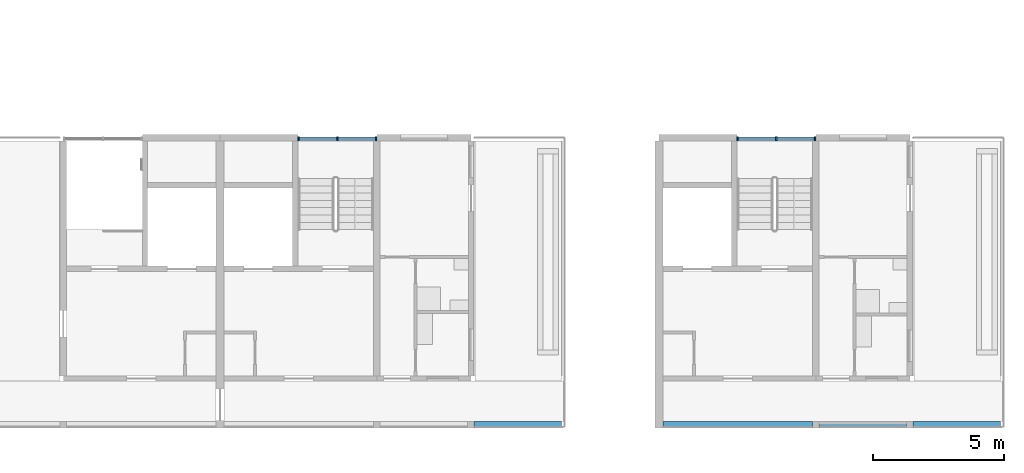
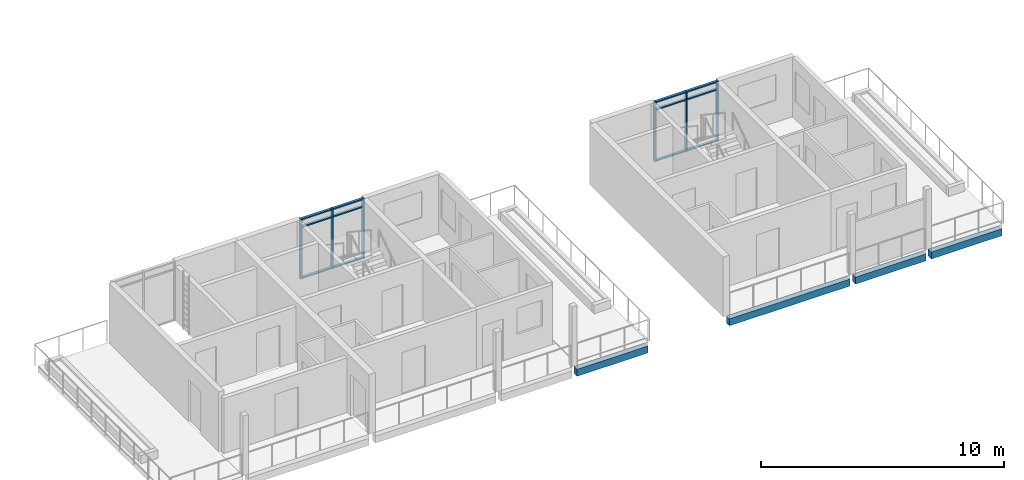
# One storey, part 11 of 41: 18 members, 4 beams, 2 elements without a shape of their own.
"""IFC4 building model written with IfcOpenShell, lengths in metres."""

from ifc_helpers import new_model, si_unit, direction, frame, origin, origin_2d, place, context, subcontext, project, spatial, rectangle, extrude, material, material_profile, profile_set, type_object, element, aggregate, save


model = new_model("IFC4")

# Units and contexts
model_context = context("Model", 3, precision=1e-05, world=origin(), true_north=direction((0.0, 1.0)))
body_context = subcontext(model_context, "Body", "Model", "MODEL_VIEW")
ifc_project = project(units=[si_unit("LENGTHUNIT", "METRE"), si_unit("AREAUNIT", "SQUARE_METRE"), si_unit("VOLUMEUNIT", "CUBIC_METRE"), si_unit("PLANEANGLEUNIT", "RADIAN"), si_unit("MASSUNIT", "GRAM", prefix="KILO")], contexts=[model_context])

# Site, building, storey
site_placement = place(None, origin())
site = spatial("IfcSite", under=ifc_project, at=site_placement, CompositionType="ELEMENT")
building_placement = place(site_placement, origin())
building = spatial("IfcBuilding", under=site, at=building_placement, Name="Ridgestep Commons", CompositionType="ELEMENT")
storey_placement = place(building_placement, frame((0.0, 0.0, 39.0)))
storey = spatial("IfcBuildingStorey", under=building, at=storey_placement, Name="L13", CompositionType="ELEMENT", Elevation=39.0)

# Beams
ifc_material_1 = material(Name="Precast concrete C40/50", Category="concrete")
ifc_material_profile_1 = material_profile(ifc_material_1, rectangle(XDim=0.25, YDim=0.35009765625, at=origin_2d()), Name="PC 250x350")
ifc_profile_set_1 = profile_set([ifc_material_profile_1], Name="Precast concrete C40/50")
beam_type = type_object("IfcBeamType", Name="Loggia edge beam 250 x 350", PredefinedType="SPANDREL", material=ifc_profile_set_1)
beam_1_placement = place(storey_placement, frame((223.72509765625, 11.875, -0.375), z_axis=(1.0, 0.0, 0.0), x_axis=(0.0, 1.0, 0.0)))
element("IfcBeam", 1, at=beam_1_placement, inside=storey, type_object=beam_type, Name="Loggia edge beam D5T2 L13", PredefinedType="SPANDREL", context=body_context, shape_type="SweptSolid", body=[
    extrude(rectangle(XDim=0.25, YDim=0.35009765625, at=origin_2d()), origin(), (0.0, 0.0, 1.0), 3.349853515625),
])
beam_2_placement = place(storey_placement, frame((230.949951171875, 11.875, -0.375), z_axis=(1.0, 0.0, 0.0), x_axis=(0.0, 1.0, 0.0)))
element("IfcBeam", 2, at=beam_2_placement, inside=storey, type_object=beam_type, Name="Loggia edge beam D6C L13", PredefinedType="SPANDREL", context=body_context, shape_type="SweptSolid", body=[
    extrude(rectangle(XDim=0.25, YDim=0.35009765625, at=origin_2d()), origin(), (0.0, 0.0, 1.0), 5.72509765625),
])
beam_3_placement = place(storey_placement, frame((236.925048828125, 11.875, -0.375), z_axis=(1.0, 0.0, 0.0), x_axis=(0.0, 1.0, 0.0)))
element("IfcBeam", 3, at=beam_3_placement, inside=storey, type_object=beam_type, Name="Loggia edge beam D6T3 L13", PredefinedType="SPANDREL", context=body_context, shape_type="SweptSolid", body=[
    extrude(rectangle(XDim=0.25, YDim=0.35009765625, at=origin_2d()), origin(), (0.0, 0.0, 1.0), 3.349853515625),
])
beam_4_placement = place(storey_placement, frame((240.52490234375, 11.875, -0.375), z_axis=(1.0, 0.0, 0.0), x_axis=(0.0, 1.0, 0.0)))
element("IfcBeam", 4, at=beam_4_placement, inside=storey, type_object=beam_type, Name="Loggia edge beam D6T2 L13", PredefinedType="SPANDREL", context=body_context, shape_type="SweptSolid", body=[
    extrude(rectangle(XDim=0.25, YDim=0.35009765625, at=origin_2d()), origin(), (0.0, 0.0, 1.0), 3.35009765625),
])

# Curtain wall, members
ifc_material_2 = material(Name="Aluminium 6063-T6 and glass", Category="aluminium")
curtain_wall_type = type_object("IfcCurtainWallType", Name="Curtain wall stair strip", PredefinedType="NOTDEFINED", material=ifc_material_2)
curtain_wall_1_placement = place(storey_placement, origin())
curtain_wall_1 = element("IfcCurtainWall", 5, at=curtain_wall_1_placement, inside=storey, type_object=curtain_wall_type, Name="Curtain wall D5C level 13", PredefinedType="NOTDEFINED")
ifc_material_3 = material(Name="Aluminium 6063-T6", Category="aluminium")
ifc_material_profile_2 = material_profile(ifc_material_3, rectangle(XDim=0.159912109375, YDim=0.06005859375, at=origin_2d()), Name="Mullion 60 x 160")
ifc_profile_set_2 = profile_set([ifc_material_profile_2], Name="Aluminium 6063-T6")
member_type_1 = type_object("IfcMemberType", Name="Mullion 60 x 160", PredefinedType="MULLION", material=ifc_profile_set_2)
member_1_placement = place(storey_placement, frame((217.0048828125, 22.830078125, 0.0), z_axis=(0.0, 0.0, 1.0), x_axis=(0.0, 1.0, 0.0)))
member_1 = element("IfcMember", 6, at=member_1_placement, type_object=member_type_1, Name="CW1 mullion 1", PredefinedType="MULLION", context=body_context, shape_type="SweptSolid", body=[
    extrude(rectangle(XDim=0.159912109375, YDim=0.06005859375, at=origin_2d()), origin(), (0.0, 0.0, 1.0), 3.0),
])
member_2_placement = place(storey_placement, frame((218.487548828125, 22.830078125, 0.0), z_axis=(0.0, 0.0, 1.0), x_axis=(0.0, 1.0, 0.0)))
member_2 = element("IfcMember", 7, at=member_2_placement, type_object=member_type_1, Name="CW1 mullion 2", PredefinedType="MULLION", context=body_context, shape_type="SweptSolid", body=[
    extrude(rectangle(XDim=0.159912109375, YDim=0.06005859375, at=origin_2d()), origin(), (0.0, 0.0, 1.0), 3.0),
])
member_3_placement = place(storey_placement, frame((219.969970703125, 22.830078125, 0.0), z_axis=(0.0, 0.0, 1.0), x_axis=(0.0, 1.0, 0.0)))
member_3 = element("IfcMember", 8, at=member_3_placement, type_object=member_type_1, Name="CW1 mullion 3", PredefinedType="MULLION", context=body_context, shape_type="SweptSolid", body=[
    extrude(rectangle(XDim=0.159912109375, YDim=0.06005859375, at=origin_2d()), origin(), (0.0, 0.0, 1.0), 3.0),
])

curtain_wall_2_placement = place(storey_placement, origin())
curtain_wall_2 = element("IfcCurtainWall", 9, at=curtain_wall_2_placement, inside=storey, type_object=curtain_wall_type, Name="Curtain wall D6C level 13", PredefinedType="NOTDEFINED")
member_4_placement = place(storey_placement, frame((233.804931640625, 22.830078125, 0.0), z_axis=(0.0, 0.0, 1.0), x_axis=(0.0, 1.0, 0.0)))
member_4 = element("IfcMember", 10, at=member_4_placement, type_object=member_type_1, Name="CW1 mullion 1", PredefinedType="MULLION", context=body_context, shape_type="SweptSolid", body=[
    extrude(rectangle(XDim=0.159912109375, YDim=0.06005859375, at=origin_2d()), origin(), (0.0, 0.0, 1.0), 3.0),
])
member_5_placement = place(storey_placement, frame((235.28759765625, 22.830078125, 0.0), z_axis=(0.0, 0.0, 1.0), x_axis=(0.0, 1.0, 0.0)))
member_5 = element("IfcMember", 11, at=member_5_placement, type_object=member_type_1, Name="CW1 mullion 2", PredefinedType="MULLION", context=body_context, shape_type="SweptSolid", body=[
    extrude(rectangle(XDim=0.159912109375, YDim=0.06005859375, at=origin_2d()), origin(), (0.0, 0.0, 1.0), 3.0),
])
member_6_placement = place(storey_placement, frame((236.77001953125, 22.830078125, 0.0), z_axis=(0.0, 0.0, 1.0), x_axis=(0.0, 1.0, 0.0)))
member_6 = element("IfcMember", 12, at=member_6_placement, type_object=member_type_1, Name="CW1 mullion 3", PredefinedType="MULLION", context=body_context, shape_type="SweptSolid", body=[
    extrude(rectangle(XDim=0.159912109375, YDim=0.06005859375, at=origin_2d()), origin(), (0.0, 0.0, 1.0), 3.0),
])

# Member
ifc_material_4 = material(Name="Aluminium 6063-T6", Category="aluminium")
ifc_material_profile_3 = material_profile(ifc_material_4, rectangle(XDim=0.1201171875, YDim=0.06005859375, at=origin_2d()), Name="Transom 60 x 120")
ifc_profile_set_3 = profile_set([ifc_material_profile_3], Name="Aluminium 6063-T6")
member_type_2 = type_object("IfcMemberType", Name="Transom 60 x 120", PredefinedType="USERDEFINED", material=ifc_profile_set_3)
member_7_placement = place(storey_placement, frame((217.034912109375, 22.830078125, 0.030029296875), z_axis=(1.0, 0.0, 0.0), x_axis=(0.0, 1.0, 0.0)))
member_7 = element("IfcMember", 13, at=member_7_placement, type_object=member_type_2, Name="CW1 transom 1.1", ObjectType="TRANSOM", PredefinedType="USERDEFINED", context=body_context, shape_type="SweptSolid", body=[
    extrude(rectangle(XDim=0.1201171875, YDim=0.06005859375, at=origin_2d()), origin(), (0.0, 0.0, 1.0), 1.422607421875),
])

member_8_placement = place(storey_placement, frame((217.034912109375, 22.830078125, 2.590087890625), z_axis=(1.0, 0.0, 0.0), x_axis=(0.0, 1.0, 0.0)))
member_8 = element("IfcMember", 14, at=member_8_placement, type_object=member_type_2, Name="CW1 transom 1.2", ObjectType="TRANSOM", PredefinedType="USERDEFINED", context=body_context, shape_type="SweptSolid", body=[
    extrude(rectangle(XDim=0.1201171875, YDim=0.06005859375, at=origin_2d()), origin(), (0.0, 0.0, 1.0), 1.422607421875),
])

member_9_placement = place(storey_placement, frame((217.034912109375, 22.830078125, 2.969970703125), z_axis=(1.0, 0.0, 0.0), x_axis=(0.0, 1.0, 0.0)))
member_9 = element("IfcMember", 15, at=member_9_placement, type_object=member_type_2, Name="CW1 transom 1.3", ObjectType="TRANSOM", PredefinedType="USERDEFINED", context=body_context, shape_type="SweptSolid", body=[
    extrude(rectangle(XDim=0.1201171875, YDim=0.06005859375, at=origin_2d()), origin(), (0.0, 0.0, 1.0), 1.422607421875),
])

member_10_placement = place(storey_placement, frame((218.517578125, 22.830078125, 0.030029296875), z_axis=(1.0, 0.0, 0.0), x_axis=(0.0, 1.0, 0.0)))
member_10 = element("IfcMember", 16, at=member_10_placement, type_object=member_type_2, Name="CW1 transom 2.1", ObjectType="TRANSOM", PredefinedType="USERDEFINED", context=body_context, shape_type="SweptSolid", body=[
    extrude(rectangle(XDim=0.1201171875, YDim=0.06005859375, at=origin_2d()), origin(), (0.0, 0.0, 1.0), 1.42236328125),
])

member_11_placement = place(storey_placement, frame((218.517578125, 22.830078125, 2.590087890625), z_axis=(1.0, 0.0, 0.0), x_axis=(0.0, 1.0, 0.0)))
member_11 = element("IfcMember", 17, at=member_11_placement, type_object=member_type_2, Name="CW1 transom 2.2", ObjectType="TRANSOM", PredefinedType="USERDEFINED", context=body_context, shape_type="SweptSolid", body=[
    extrude(rectangle(XDim=0.1201171875, YDim=0.06005859375, at=origin_2d()), origin(), (0.0, 0.0, 1.0), 1.42236328125),
])

member_12_placement = place(storey_placement, frame((218.517578125, 22.830078125, 2.969970703125), z_axis=(1.0, 0.0, 0.0), x_axis=(0.0, 1.0, 0.0)))
member_12 = element("IfcMember", 18, at=member_12_placement, type_object=member_type_2, Name="CW1 transom 2.3", ObjectType="TRANSOM", PredefinedType="USERDEFINED", context=body_context, shape_type="SweptSolid", body=[
    extrude(rectangle(XDim=0.1201171875, YDim=0.06005859375, at=origin_2d()), origin(), (0.0, 0.0, 1.0), 1.42236328125),
])

aggregate(curtain_wall_1, [member_1, member_2, member_3, member_7, member_8, member_9, member_10, member_11, member_12])

member_13_placement = place(storey_placement, frame((233.8349609375, 22.830078125, 0.030029296875), z_axis=(1.0, 0.0, 0.0), x_axis=(0.0, 1.0, 0.0)))
member_13 = element("IfcMember", 19, at=member_13_placement, type_object=member_type_2, Name="CW1 transom 1.1", ObjectType="TRANSOM", PredefinedType="USERDEFINED", context=body_context, shape_type="SweptSolid", body=[
    extrude(rectangle(XDim=0.1201171875, YDim=0.06005859375, at=origin_2d()), origin(), (0.0, 0.0, 1.0), 1.422607421875),
])

member_14_placement = place(storey_placement, frame((233.8349609375, 22.830078125, 2.590087890625), z_axis=(1.0, 0.0, 0.0), x_axis=(0.0, 1.0, 0.0)))
member_14 = element("IfcMember", 20, at=member_14_placement, type_object=member_type_2, Name="CW1 transom 1.2", ObjectType="TRANSOM", PredefinedType="USERDEFINED", context=body_context, shape_type="SweptSolid", body=[
    extrude(rectangle(XDim=0.1201171875, YDim=0.06005859375, at=origin_2d()), origin(), (0.0, 0.0, 1.0), 1.422607421875),
])

member_15_placement = place(storey_placement, frame((233.8349609375, 22.830078125, 2.969970703125), z_axis=(1.0, 0.0, 0.0), x_axis=(0.0, 1.0, 0.0)))
member_15 = element("IfcMember", 21, at=member_15_placement, type_object=member_type_2, Name="CW1 transom 1.3", ObjectType="TRANSOM", PredefinedType="USERDEFINED", context=body_context, shape_type="SweptSolid", body=[
    extrude(rectangle(XDim=0.1201171875, YDim=0.06005859375, at=origin_2d()), origin(), (0.0, 0.0, 1.0), 1.422607421875),
])

member_16_placement = place(storey_placement, frame((235.3173828125, 22.830078125, 0.030029296875), z_axis=(1.0, 0.0, 0.0), x_axis=(0.0, 1.0, 0.0)))
member_16 = element("IfcMember", 22, at=member_16_placement, type_object=member_type_2, Name="CW1 transom 2.1", ObjectType="TRANSOM", PredefinedType="USERDEFINED", context=body_context, shape_type="SweptSolid", body=[
    extrude(rectangle(XDim=0.1201171875, YDim=0.06005859375, at=origin_2d()), origin(), (0.0, 0.0, 1.0), 1.422607421875),
])

member_17_placement = place(storey_placement, frame((235.3173828125, 22.830078125, 2.590087890625), z_axis=(1.0, 0.0, 0.0), x_axis=(0.0, 1.0, 0.0)))
member_17 = element("IfcMember", 23, at=member_17_placement, type_object=member_type_2, Name="CW1 transom 2.2", ObjectType="TRANSOM", PredefinedType="USERDEFINED", context=body_context, shape_type="SweptSolid", body=[
    extrude(rectangle(XDim=0.1201171875, YDim=0.06005859375, at=origin_2d()), origin(), (0.0, 0.0, 1.0), 1.422607421875),
])

member_18_placement = place(storey_placement, frame((235.3173828125, 22.830078125, 2.969970703125), z_axis=(1.0, 0.0, 0.0), x_axis=(0.0, 1.0, 0.0)))
member_18 = element("IfcMember", 24, at=member_18_placement, type_object=member_type_2, Name="CW1 transom 2.3", ObjectType="TRANSOM", PredefinedType="USERDEFINED", context=body_context, shape_type="SweptSolid", body=[
    extrude(rectangle(XDim=0.1201171875, YDim=0.06005859375, at=origin_2d()), origin(), (0.0, 0.0, 1.0), 1.422607421875),
])

aggregate(curtain_wall_2, [member_4, member_5, member_6, member_13, member_14, member_15, member_16, member_17, member_18])

save(model, "model.ifc")
